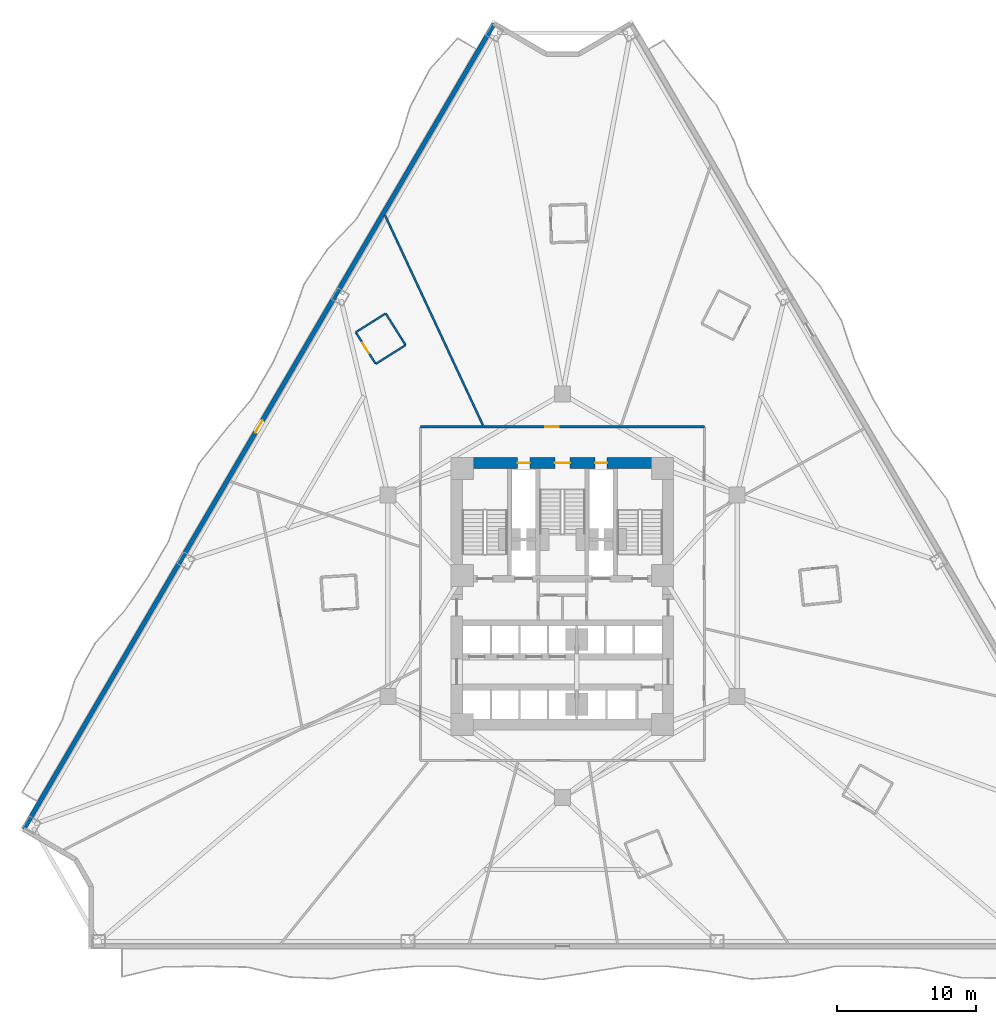
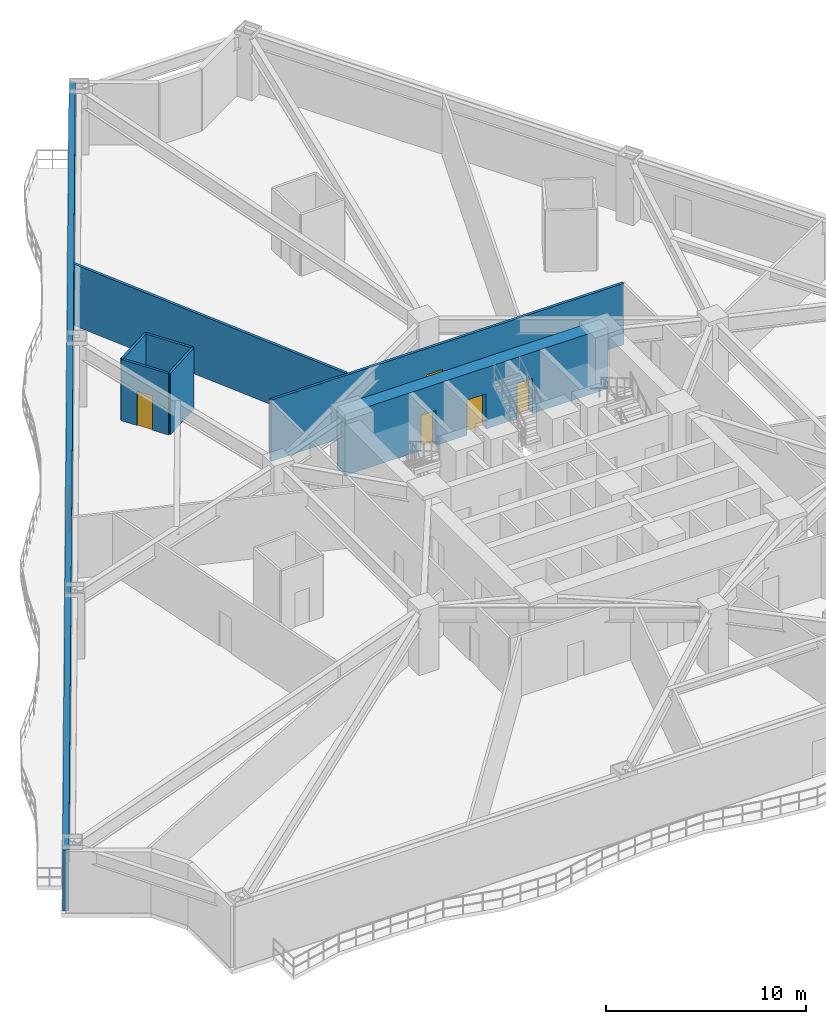
# One storey, part 6 of 12: 8 walls, 6 doors, 6 openings.
"""IFC4 building model written with IfcOpenShell, lengths in metres."""

from ifc_helpers import new_model, si_unit, direction, frame, frame_2d, origin, place, context, subcontext, project, spatial, rectangle, extrude, material, layer, layer_set, type_object, element, fill, save


model = new_model("IFC4")

# Units and contexts
model_context = context("Model", 3, precision=1e-05, world=origin(), true_north=direction((0.0, 1.0)))
body_context = subcontext(model_context, "Body", "Model", "MODEL_VIEW")
ifc_project = project(units=[si_unit("LENGTHUNIT", "METRE"), si_unit("AREAUNIT", "SQUARE_METRE"), si_unit("VOLUMEUNIT", "CUBIC_METRE"), si_unit("PLANEANGLEUNIT", "RADIAN"), si_unit("MASSUNIT", "GRAM", prefix="KILO")], contexts=[model_context])

# Site, building, storey
site_placement = place(None, origin())
site = spatial("IfcSite", under=ifc_project, at=site_placement, CompositionType="ELEMENT")
building_placement = place(site_placement, origin())
building = spatial("IfcBuilding", under=site, at=building_placement, Name="Apsidion Concourse Tower", CompositionType="ELEMENT")
storey_placement = place(building_placement, frame((0.0, 0.0, 42.39990234375)))
storey = spatial("IfcBuildingStorey", under=building, at=storey_placement, Name="L08", CompositionType="ELEMENT", Elevation=42.39990234375)

# Wall, opening, door
ifc_material_1 = material(Name="Precast concrete C40/50", Category="concrete")
ifc_layer_1 = layer(ifc_material_1, 0.320068359375)
ifc_layer_set_1 = layer_set([ifc_layer_1], Name="Precast concrete C40/50")
wall_type_1 = type_object("IfcWallType", Name="WL-EXT-320", PredefinedType="STANDARD", material=ifc_layer_set_1)
wall_1_placement = place(storey_placement, frame((-38.725830078125, -16.7734375, 0.0), z_axis=(0.0, 0.0, 1.0), x_axis=(0.504213113214, 0.863579258935, 0.0)))
wall_1 = element("IfcWall", 1, at=wall_1_placement, inside=storey, type_object=wall_type_1, Name="L08 Precast Stone Facade Wall 09", PredefinedType="STANDARD", context=body_context, shape_type="SweptSolid", body=[
    extrude(rectangle(XDim=67.041015625, YDim=0.320068359375, at=frame_2d((33.5205078125, 0.0))), origin(), (0.0, 0.0, 1.0), 3.75),
])
opening_1_placement = place(wall_1_placement, frame((33.0205078125, 0.0, 0.0)))
opening_1 = element("IfcOpeningElement", 2, at=opening_1_placement, cuts=wall_1, Name="Opening D-T1L", PredefinedType="OPENING", context=body_context, shape_type="SweptSolid", body=[
    extrude(rectangle(XDim=1.0, YDim=2.14990234375, at=frame_2d((0.5, 1.074951171875))), frame((0.0, 0.169921875, 0.0), z_axis=(0.0, -1.0, 0.0), x_axis=(1.0, 0.0, 0.0)), (0.0, 0.0, 1.0), 0.340087890625),
])
ifc_material_2 = material(Name="Anodised aluminium EN AW-6063 T6", Category="aluminium")
door_type_1 = type_object("IfcDoorType", Name="DR-TER-1022L", OperationType="SINGLE_SWING_LEFT", PredefinedType="DOOR", material=ifc_material_2)
door_1_placement = place(opening_1_placement, origin())
door_1 = element("IfcDoor", 3, at=door_1_placement, inside=storey, type_object=door_type_1, Name="L08 Balcony Access Door 1", OperationType="SINGLE_SWING_LEFT", OverallHeight=2.14990234375, OverallWidth=1.0, PredefinedType="DOOR", context=body_context, shape_type="SweptSolid", body=[
    extrude(rectangle(XDim=1.0, YDim=2.14990234375, at=frame_2d((0.5, 1.074951171875))), frame((0.0, 0.02490234375, 0.0), z_axis=(0.0, -1.0, 0.0), x_axis=(1.0, 0.0, 0.0)), (0.0, 0.0, 1.0), 0.050048828125),
])
fill(opening_1, door_1)

# Walls
ifc_material_3 = material(Name="Gypsum plasterboard partition")
ifc_layer_2 = layer(ifc_material_3, 0.139892578125)
ifc_layer_set_2 = layer_set([ifc_layer_2], Name="Gypsum plasterboard partition")
wall_type_2 = type_object("IfcWallType", Name="WL-INT-PAR-140", PredefinedType="PARTITIONING", material=ifc_layer_set_2)
wall_2_placement = place(storey_placement, frame((-11.276611328125, 18.022705078125, 0.0), z_axis=(0.0, 0.0, 1.0), x_axis=(-0.532899918794, 0.846178277049, 0.0)))
element("IfcWall", 4, at=wall_2_placement, inside=storey, type_object=wall_type_2, Name="L08 Interior Partition WL-L08-POD-ENS09-S1", PredefinedType="PARTITIONING", context=body_context, shape_type="SweptSolid", body=[
    extrude(rectangle(XDim=2.690185546875, YDim=0.139892578125, at=frame_2d((1.34521484375, 0.0))), origin(), (0.0, 0.0, 1.0), 3.75),
])
wall_3_placement = place(storey_placement, frame((-12.710205078125, 20.299072265625, 0.0), z_axis=(0.0, 0.0, 1.0), x_axis=(-0.846173442339, -0.53290759563, 0.0)))
element("IfcWall", 5, at=wall_3_placement, inside=storey, type_object=wall_type_2, Name="L08 Interior Partition WL-L08-POD-ENS09-S2", PredefinedType="PARTITIONING", context=body_context, shape_type="SweptSolid", body=[
    extrude(rectangle(XDim=2.539794921875, YDim=0.139892578125, at=frame_2d((1.27001953125, 0.0))), origin(), (0.0, 0.0, 1.0), 3.75),
])

# Wall, opening, door
wall_4_placement = place(storey_placement, frame((-14.859375, 18.945556640625, 0.0), z_axis=(0.0, 0.0, 1.0), x_axis=(0.532834933534, -0.846219199502, 0.0)))
wall_4 = element("IfcWall", 6, at=wall_4_placement, inside=storey, type_object=wall_type_2, Name="L08 Interior Partition WL-L08-POD-ENS09-S3", PredefinedType="PARTITIONING", context=body_context, shape_type="SweptSolid", body=[
    extrude(rectangle(XDim=2.68994140625, YDim=0.139892578125, at=frame_2d((1.344970703125, 0.0))), origin(), (0.0, 0.0, 1.0), 3.75),
])
opening_2_placement = place(wall_4_placement, frame((0.905029296875, 0.0, 0.0)))
opening_2 = element("IfcOpeningElement", 7, at=opening_2_placement, cuts=wall_4, Name="Opening D-03R", PredefinedType="OPENING", context=body_context, shape_type="SweptSolid", body=[
    extrude(rectangle(XDim=0.8798828125, YDim=2.10009765625, at=frame_2d((0.43994140625, 1.050048828125))), frame((0.0, 0.080078125, 0.0), z_axis=(0.0, -1.0, 0.0), x_axis=(1.0, 0.0, 0.0)), (0.0, 0.0, 1.0), 0.159912109375),
])
door_type_2 = type_object("IfcDoorType", Name="DR-INT-D03R", OperationType="SINGLE_SWING_RIGHT", PredefinedType="DOOR", material=ifc_material_2)
door_2_placement = place(opening_2_placement, origin())
door_2 = element("IfcDoor", 8, at=door_2_placement, inside=storey, type_object=door_type_2, Name="L08 Guest En-Suite Bathroom Door ENS09", OperationType="SINGLE_SWING_RIGHT", OverallHeight=2.10009765625, OverallWidth=0.8798828125, PredefinedType="DOOR", context=body_context, shape_type="SweptSolid", body=[
    extrude(rectangle(XDim=0.8798828125, YDim=2.10009765625, at=frame_2d((0.43994140625, 1.050048828125))), frame((0.0, 0.02490234375, 0.0), z_axis=(0.0, -1.0, 0.0), x_axis=(1.0, 0.0, 0.0)), (0.0, 0.0, 1.0), 0.050048828125),
])
fill(opening_2, door_2)

# Wall
wall_5_placement = place(storey_placement, frame((-13.426025390625, 16.669189453125, 0.0), z_axis=(0.0, 0.0, 1.0), x_axis=(0.846200737115, 0.532864253358, 0.0)))
element("IfcWall", 9, at=wall_5_placement, inside=storey, type_object=wall_type_2, Name="L08 Interior Partition WL-L08-POD-ENS09-S4", PredefinedType="PARTITIONING", context=body_context, shape_type="SweptSolid", body=[
    extrude(rectangle(XDim=2.5400390625, YDim=0.139892578125, at=frame_2d((1.27001953125, 0.0))), origin(), (0.0, 0.0, 1.0), 3.75),
])

# Wall, opening, door
ifc_layer_3 = layer(ifc_material_3, 0.14990234375)
ifc_layer_set_3 = layer_set([ifc_layer_3], Name="Gypsum plasterboard partition")
wall_type_3 = type_object("IfcWallType", Name="WL-INT-PAR-150", PredefinedType="PARTITIONING", material=ifc_layer_set_3)
wall_6_placement = place(storey_placement, frame((-10.199951171875, 12.14990234375, 0.0), z_axis=(0.0, 0.0, 1.0), x_axis=(1.0, 0.0, 0.0)))
wall_6 = element("IfcWall", 10, at=wall_6_placement, inside=storey, type_object=wall_type_3, Name="L08 Interior Partition WL-L08-CORR-01", PredefinedType="PARTITIONING", context=body_context, shape_type="SweptSolid", body=[
    extrude(rectangle(XDim=20.39990234375, YDim=0.14990234375, at=frame_2d((10.199951171875, 0.0))), origin(), (0.0, 0.0, 1.0), 3.75),
])
opening_3_placement = place(wall_6_placement, frame((8.978515625, 0.0, 0.0)))
opening_3 = element("IfcOpeningElement", 11, at=opening_3_placement, cuts=wall_6, Name="Opening D-01L", PredefinedType="OPENING", context=body_context, shape_type="SweptSolid", body=[
    extrude(rectangle(XDim=0.949951171875, YDim=2.14990234375, at=frame_2d((0.47509765625, 1.074951171875))), frame((0.0, 0.0849609375, 0.0), z_axis=(0.0, -1.0, 0.0), x_axis=(1.0, 0.0, 0.0)), (0.0, 0.0, 1.0), 0.169921875),
])
ifc_material_4 = material(Name="Brushed stainless steel 316", Category="steel")
door_type_3 = type_object("IfcDoorType", Name="DR-INT-D01L", OperationType="SINGLE_SWING_LEFT", PredefinedType="DOOR", material=ifc_material_4)
door_3_placement = place(opening_3_placement, origin())
door_3 = element("IfcDoor", 12, at=door_3_placement, inside=storey, type_object=door_type_3, Name="L08 Corridor Entry Door 09", OperationType="SINGLE_SWING_LEFT", OverallHeight=2.14990234375, OverallWidth=0.949951171875, PredefinedType="DOOR", context=body_context, shape_type="SweptSolid", body=[
    extrude(rectangle(XDim=0.949951171875, YDim=2.14990234375, at=frame_2d((0.47509765625, 1.074951171875))), frame((0.0, 0.02490234375, 0.0), z_axis=(0.0, -1.0, 0.0), x_axis=(1.0, 0.0, 0.0)), (0.0, 0.0, 1.0), 0.050048828125),
])
fill(opening_3, door_3)

# Wall
wall_7_placement = place(storey_placement, frame((-5.714599609375, 12.2548828125, 0.0), z_axis=(0.0, 0.0, 1.0), x_axis=(-0.422614345426, 0.906309613234, 0.0)))
element("IfcWall", 13, at=wall_7_placement, inside=storey, type_object=wall_type_3, Name="L08 Interior Partition WL-L08-RAD-03-1", PredefinedType="PARTITIONING", context=body_context, shape_type="SweptSolid", body=[
    extrude(rectangle(XDim=16.66357421875, YDim=0.14990234375, at=frame_2d((8.331787109375, 0.0))), origin(), (0.0, 0.0, 1.0), 3.75),
])

# Wall, openings, doors
ifc_material_5 = material(Name="Concrete C60/75", Category="concrete")
ifc_layer_4 = layer(ifc_material_5, 0.800048828125)
ifc_layer_set_4 = layer_set([ifc_layer_4], Name="Concrete C60/75")
wall_type_4 = type_object("IfcWallType", Name="WL-SH-800", PredefinedType="SHEAR", material=ifc_layer_set_4)
wall_8_placement = place(storey_placement, frame((-7.60009765625, 9.550048828125, 0.0), z_axis=(0.0, 0.0, 1.0), x_axis=(1.0, 0.0, 0.0)))
wall_8 = element("IfcWall", 14, at=wall_8_placement, inside=storey, type_object=wall_type_4, Name="L08 Central Core Shear Wall N", PredefinedType="SHEAR", context=body_context, shape_type="SweptSolid", body=[
    extrude(rectangle(XDim=15.2001953125, YDim=0.800048828125, at=frame_2d((7.60009765625, 0.0))), origin(), (0.0, 0.0, 1.0), 3.75),
])
opening_4_placement = place(wall_8_placement, frame((7.050048828125, 0.0, 0.0)))
opening_4 = element("IfcOpeningElement", 15, at=opening_4_placement, cuts=wall_8, Name="Opening D-STL", PredefinedType="OPENING", context=body_context, shape_type="SweptSolid", body=[
    extrude(rectangle(XDim=1.10009765625, YDim=2.14990234375, at=frame_2d((0.550048828125, 1.074951171875))), frame((0.0, 0.41015625, 0.0), z_axis=(0.0, -1.0, 0.0), x_axis=(1.0, 0.0, 0.0)), (0.0, 0.0, 1.0), 0.820068359375),
])
opening_5_placement = place(wall_8_placement, frame((4.3798828125, 0.0, 0.0)))
opening_5 = element("IfcOpeningElement", 16, at=opening_5_placement, cuts=wall_8, Name="Opening D-05L", PredefinedType="OPENING", context=body_context, shape_type="SweptSolid", body=[
    extrude(rectangle(XDim=0.8798828125, YDim=2.14990234375, at=frame_2d((0.43994140625, 1.074951171875))), frame((0.0, 0.41015625, 0.0), z_axis=(0.0, -1.0, 0.0), x_axis=(1.0, 0.0, 0.0)), (0.0, 0.0, 1.0), 0.820068359375),
])
opening_6_placement = place(wall_8_placement, frame((9.93994140625, 0.0, 0.0)))
opening_6 = element("IfcOpeningElement", 17, at=opening_6_placement, cuts=wall_8, Name="Opening D-05R", PredefinedType="OPENING", context=body_context, shape_type="SweptSolid", body=[
    extrude(rectangle(XDim=0.8798828125, YDim=2.14990234375, at=frame_2d((0.43994140625, 1.074951171875))), frame((0.0, 0.41015625, 0.0), z_axis=(0.0, -1.0, 0.0), x_axis=(1.0, 0.0, 0.0)), (0.0, 0.0, 1.0), 0.820068359375),
])
door_type_4 = type_object("IfcDoorType", Name="DR-INT-D05L", OperationType="SINGLE_SWING_LEFT", PredefinedType="DOOR", material=ifc_material_4)
door_4_placement = place(opening_5_placement, origin())
door_4 = element("IfcDoor", 18, at=door_4_placement, inside=storey, type_object=door_type_4, Name="L08 Electrical Riser Shaft Access Door", OperationType="SINGLE_SWING_LEFT", OverallHeight=2.14990234375, OverallWidth=0.8798828125, PredefinedType="DOOR", context=body_context, shape_type="SweptSolid", body=[
    extrude(rectangle(XDim=0.8798828125, YDim=2.14990234375, at=frame_2d((0.43994140625, 1.074951171875))), frame((0.0, 0.02490234375, 0.0), z_axis=(0.0, -1.0, 0.0), x_axis=(1.0, 0.0, 0.0)), (0.0, 0.0, 1.0), 0.050048828125),
])
fill(opening_5, door_4)
door_type_5 = type_object("IfcDoorType", Name="DR-INT-D05R", OperationType="SINGLE_SWING_RIGHT", PredefinedType="DOOR", material=ifc_material_4)
door_5_placement = place(opening_6_placement, origin())
door_5 = element("IfcDoor", 19, at=door_5_placement, inside=storey, type_object=door_type_5, Name="L08 Mechanical Riser Shaft Access Door", OperationType="SINGLE_SWING_RIGHT", OverallHeight=2.14990234375, OverallWidth=0.8798828125, PredefinedType="DOOR", context=body_context, shape_type="SweptSolid", body=[
    extrude(rectangle(XDim=0.8798828125, YDim=2.14990234375, at=frame_2d((0.43994140625, 1.074951171875))), frame((0.0, 0.02490234375, 0.0), z_axis=(0.0, -1.0, 0.0), x_axis=(1.0, 0.0, 0.0)), (0.0, 0.0, 1.0), 0.050048828125),
])
fill(opening_6, door_5)
door_type_6 = type_object("IfcDoorType", Name="DR-INT-ST1L", OperationType="SINGLE_SWING_LEFT", PredefinedType="DOOR", material=ifc_material_4)
door_6_placement = place(opening_4_placement, origin())
door_6 = element("IfcDoor", 20, at=door_6_placement, inside=storey, type_object=door_type_6, Name="L08 Core Exit Stair ST3 Door", OperationType="SINGLE_SWING_LEFT", OverallHeight=2.14990234375, OverallWidth=1.10009765625, PredefinedType="DOOR", context=body_context, shape_type="SweptSolid", body=[
    extrude(rectangle(XDim=1.10009765625, YDim=2.14990234375, at=frame_2d((0.550048828125, 1.074951171875))), frame((0.0, 0.02490234375, 0.0), z_axis=(0.0, -1.0, 0.0), x_axis=(1.0, 0.0, 0.0)), (0.0, 0.0, 1.0), 0.050048828125),
])
fill(opening_4, door_6)

save(model, "model.ifc")
